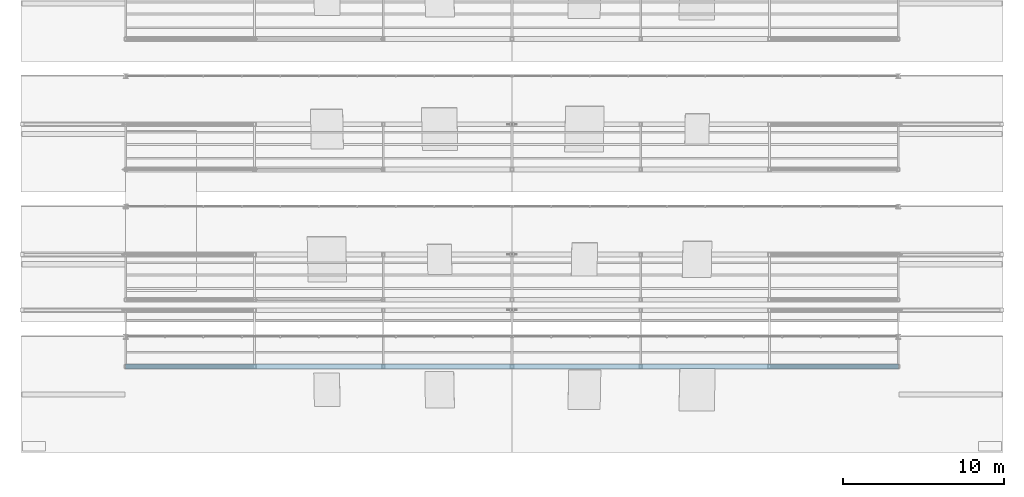
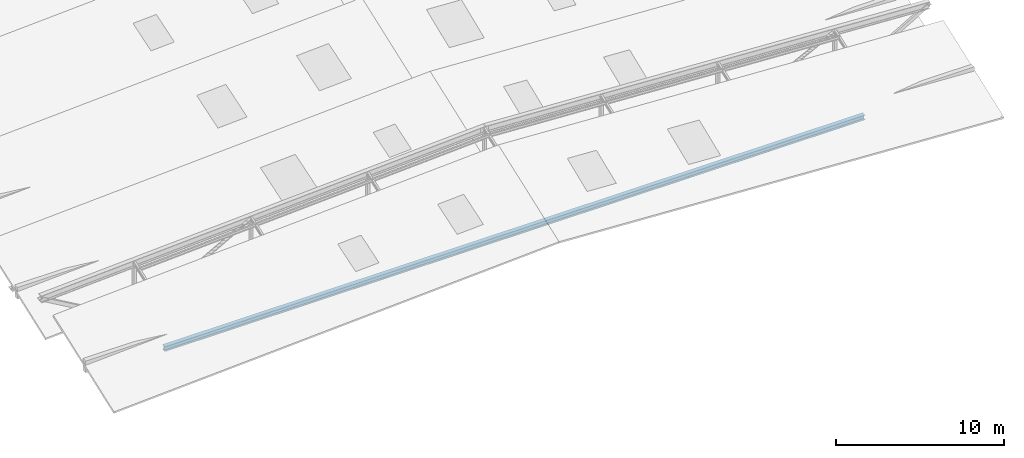
# One storey, part 11 of 141: 1 member.
"""IFC4 building model written with IfcOpenShell, lengths in metres."""

from ifc_helpers import new_model, si_unit, direction, frame, origin, origin_2d, place, context, subcontext, project, spatial, i_section, extrude, material, material_profile, profile_set, type_object, element, save


model = new_model("IFC4")

# Units and contexts
model_context = context("Model", 3, precision=1e-05, world=origin(), true_north=direction((0.0, 1.0)))
body_context = subcontext(model_context, "Body", "Model", "MODEL_VIEW")
ifc_project = project(units=[si_unit("LENGTHUNIT", "METRE"), si_unit("AREAUNIT", "SQUARE_METRE"), si_unit("VOLUMEUNIT", "CUBIC_METRE"), si_unit("PLANEANGLEUNIT", "RADIAN"), si_unit("MASSUNIT", "GRAM", prefix="KILO")], contexts=[model_context])

# Site, building, storey
site_placement = place(None, origin())
site = spatial("IfcSite", under=ifc_project, at=site_placement, CompositionType="ELEMENT")
building_placement = place(site_placement, origin())
building = spatial("IfcBuilding", under=site, at=building_placement, Name="Sundkrona Museum", CompositionType="ELEMENT")
storey_placement = place(building_placement, frame((0.0, 0.0, 34.0)))
storey = spatial("IfcBuildingStorey", under=building, at=storey_placement, Name="RF", CompositionType="ELEMENT", Elevation=34.0)

# Member
ifc_material = material(Name="Steel S355J2", Category="steel")
ifc_material_profile = material_profile(ifc_material, i_section(OverallWidth=0.300048828125, OverallDepth=0.35009765625, WebThickness=0.010009765625, FlangeThickness=0.017578125, FilletRadius=0.027099609375, at=origin_2d()), Name="HEA 360")
ifc_profile_set = profile_set([ifc_material_profile], Name="Steel S355J2")
member_type = type_object("IfcMemberType", Name="TC-HEA360", PredefinedType="CHORD", material=ifc_profile_set)
member_placement = place(storey_placement, frame((120.0, 0.35009765625, -0.25), z_axis=(1.0, 0.0, 0.0), x_axis=(0.0, 1.0, 0.0)))
element("IfcMember", 1, at=member_placement, inside=storey, type_object=member_type, Name="RFS-1 Sawtooth Valley Truss 1 Bottom Chord", PredefinedType="CHORD", context=body_context, shape_type="SweptSolid", body=[
    extrude(i_section(OverallWidth=0.300048828125, OverallDepth=0.35009765625, WebThickness=0.010009765625, FlangeThickness=0.017578125, FilletRadius=0.027099609375, at=origin_2d()), origin(), (0.0, 0.0, 1.0), 48.0),
])

save(model, "model.ifc")
